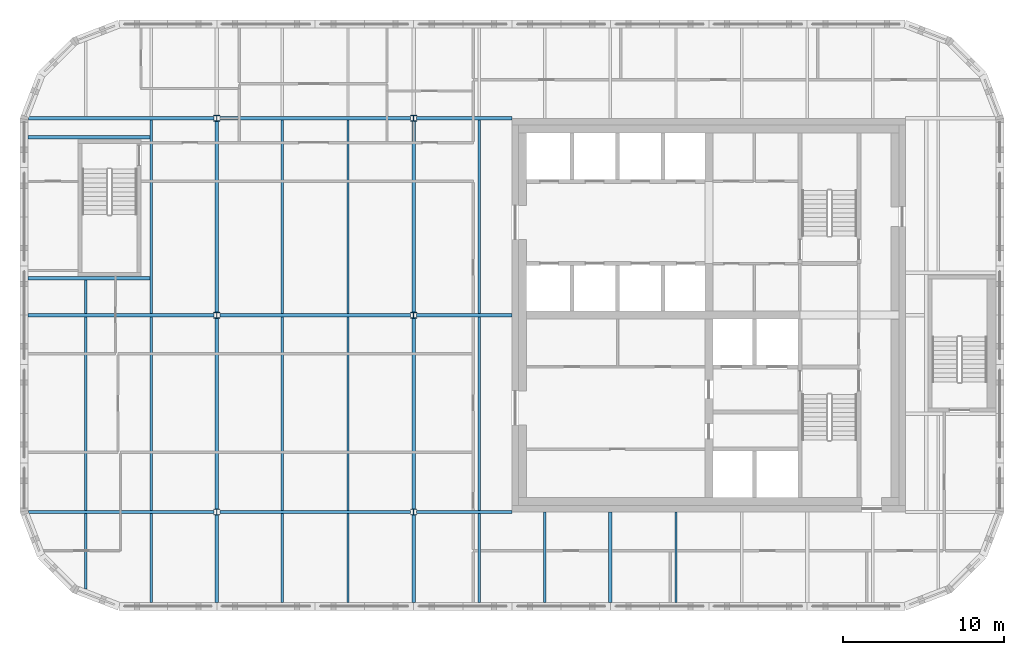
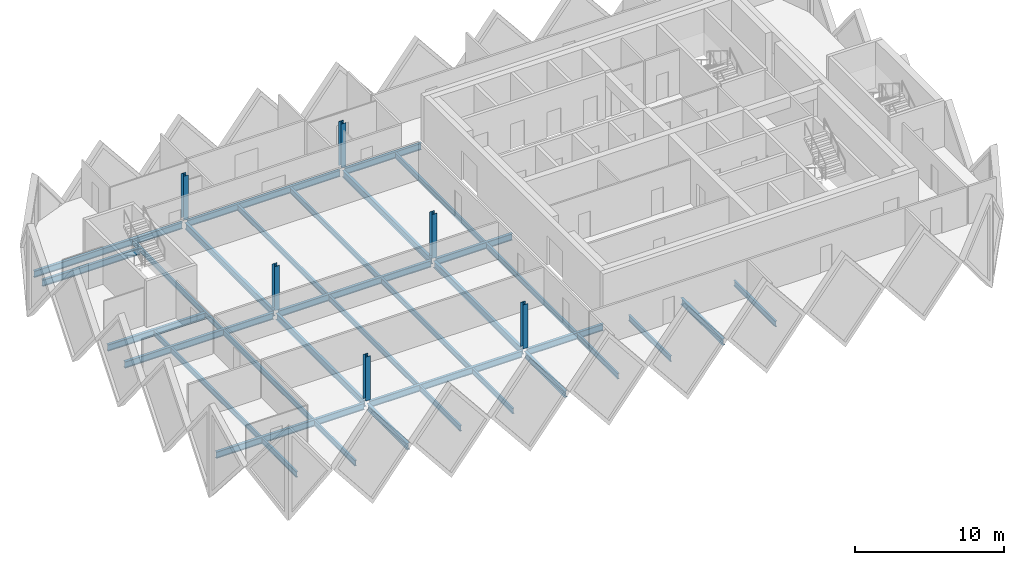
# One storey, part 1 of 10: 35 beams, 6 columns.
"""IFC4 building model written with IfcOpenShell, lengths in metres."""

from ifc_helpers import new_model, si_unit, direction, frame, origin, origin_2d, place, context, subcontext, project, spatial, i_section, extrude, material, material_profile, profile_set, type_object, element, save


model = new_model("IFC4")

# Units and contexts
model_context = context("Model", 3, precision=1e-05, world=origin(), true_north=direction((0.0, 1.0)))
body_context = subcontext(model_context, "Body", "Model", "MODEL_VIEW")
ifc_project = project(units=[si_unit("LENGTHUNIT", "METRE"), si_unit("AREAUNIT", "SQUARE_METRE"), si_unit("VOLUMEUNIT", "CUBIC_METRE"), si_unit("PLANEANGLEUNIT", "RADIAN"), si_unit("MASSUNIT", "GRAM", prefix="KILO")], contexts=[model_context])

# Site, building, storey
site_placement = place(None, origin())
site = spatial("IfcSite", under=ifc_project, at=site_placement, CompositionType="ELEMENT")
building_placement = place(site_placement, origin())
building = spatial("IfcBuilding", under=site, at=building_placement, Name="Tessera Gate Towers", CompositionType="ELEMENT")
storey_placement = place(building_placement, frame((0.0, 0.0, 248.300048828125)))
storey = spatial("IfcBuildingStorey", under=building, at=storey_placement, Name="L62", CompositionType="ELEMENT", Elevation=248.300048828125)

# Columns
ifc_material_1 = material(Name="Steel 350W", Category="steel")
ifc_material_profile_1 = material_profile(ifc_material_1, i_section(OverallWidth=0.373046875, OverallDepth=0.367919921875, WebThickness=0.014892578125, FlangeThickness=0.02392578125, at=origin_2d()), Name="W360x179")
ifc_profile_set_1 = profile_set([ifc_material_profile_1], Name="Steel 350W")
column_type = type_object("IfcColumnType", Name="STEEL COLUMN W360x179", PredefinedType="COLUMN", material=ifc_profile_set_1)
for number, where, z_axis, x_axis, name in (
    (1, (12.199951171875, 24.39990234375, 0.0), (0.0, 0.0, 1.0), (1.0, 0.0, 0.0), "T1-COL-2C-L62"),
    (2, (12.199951171875, 36.60009765625, 0.0), (0.0, 0.0, 1.0), (1.0, 0.0, 0.0), "T1-COL-2D-L62"),
    (3, (12.199951171875, 48.800048828125, 0.0), (0.0, 0.0, 1.0), (1.0, 0.0, 0.0), "T1-COL-2E-L62"),
    (4, (24.39990234375, 24.39990234375, 0.0), (0.0, 0.0, 1.0), (1.0, 0.0, 0.0), "T1-COL-3C-L62"),
    (5, (24.39990234375, 36.60009765625, 0.0), (0.0, 0.0, 1.0), (1.0, 0.0, 0.0), "T1-COL-3D-L62"),
    (6, (24.39990234375, 48.800048828125, 0.0), (0.0, 0.0, 1.0), (1.0, 0.0, 0.0), "T1-COL-3E-L62"),
):
    element("IfcColumn", number, at=place(storey_placement, frame(where, z_axis=z_axis, x_axis=x_axis)), inside=storey, type_object=column_type, Name=name, PredefinedType="COLUMN", context=body_context, shape_type="SweptSolid", body=[
        extrude(i_section(OverallWidth=0.373046875, OverallDepth=0.367919921875, WebThickness=0.014892578125, FlangeThickness=0.02392578125, at=origin_2d()), origin(), (0.0, 0.0, 1.0), 3.599853515625),
    ])

# Beams
ifc_material_2 = material(Name="Steel 350W", Category="steel")
ifc_material_profile_2 = material_profile(ifc_material_2, i_section(OverallWidth=0.208984375, OverallDepth=0.532958984375, WebThickness=0.01025390625, FlangeThickness=0.015625, at=origin_2d()), Name="W530x92")
ifc_profile_set_2 = profile_set([ifc_material_profile_2], Name="Steel 350W")
beam_type_1 = type_object("IfcBeamType", Name="FLOOR GIRDER W530x92", PredefinedType="BEAM", material=ifc_profile_set_2)
beam_1_placement = place(storey_placement, frame((0.534912109375, 24.39990234375, -0.466552734375), z_axis=(1.0, 0.0, 0.0), x_axis=(0.0, 1.0, 0.0)))
element("IfcBeam", 7, at=beam_1_placement, inside=storey, type_object=beam_type_1, Name="T1-GD-L62-6125", PredefinedType="BEAM", context=body_context, shape_type="SweptSolid", body=[
    extrude(i_section(OverallWidth=0.208984375, OverallDepth=0.532958984375, WebThickness=0.01025390625, FlangeThickness=0.015625, at=origin_2d()), origin(), (0.0, 0.0, 1.0), 11.478515625),
])
beam_2_placement = place(storey_placement, frame((12.386474609375, 24.39990234375, -0.466552734375), z_axis=(1.0, 0.0, 0.0), x_axis=(0.0, 1.0, 0.0)))
element("IfcBeam", 8, at=beam_2_placement, inside=storey, type_object=beam_type_1, Name="T1-GD-L62-6126", PredefinedType="BEAM", context=body_context, shape_type="SweptSolid", body=[
    extrude(i_section(OverallWidth=0.208984375, OverallDepth=0.532958984375, WebThickness=0.01025390625, FlangeThickness=0.015625, at=origin_2d()), origin(), (0.0, 0.0, 1.0), 11.826904296875),
])
beam_3_placement = place(storey_placement, frame((24.58642578125, 24.39990234375, -0.466552734375), z_axis=(1.0, 0.0, 0.0), x_axis=(0.0, 1.0, 0.0)))
element("IfcBeam", 9, at=beam_3_placement, inside=storey, type_object=beam_type_1, Name="T1-GD-L62-6127", PredefinedType="BEAM", context=body_context, shape_type="SweptSolid", body=[
    extrude(i_section(OverallWidth=0.208984375, OverallDepth=0.532958984375, WebThickness=0.01025390625, FlangeThickness=0.015625, at=origin_2d()), origin(), (0.0, 0.0, 1.0), 5.91259765625),
])
beam_4_placement = place(storey_placement, frame((0.4990234375, 36.60009765625, -0.466552734375), z_axis=(1.0, 0.0, 0.0), x_axis=(0.0, 1.0, 0.0)))
element("IfcBeam", 10, at=beam_4_placement, inside=storey, type_object=beam_type_1, Name="T1-GD-L62-6129", PredefinedType="BEAM", context=body_context, shape_type="SweptSolid", body=[
    extrude(i_section(OverallWidth=0.208984375, OverallDepth=0.532958984375, WebThickness=0.01025390625, FlangeThickness=0.015625, at=origin_2d()), origin(), (0.0, 0.0, 1.0), 11.514404296875),
])
beam_5_placement = place(storey_placement, frame((12.386474609375, 36.60009765625, -0.466552734375), z_axis=(1.0, 0.0, 0.0), x_axis=(0.0, 1.0, 0.0)))
element("IfcBeam", 11, at=beam_5_placement, inside=storey, type_object=beam_type_1, Name="T1-GD-L62-6130", PredefinedType="BEAM", context=body_context, shape_type="SweptSolid", body=[
    extrude(i_section(OverallWidth=0.208984375, OverallDepth=0.532958984375, WebThickness=0.01025390625, FlangeThickness=0.015625, at=origin_2d()), origin(), (0.0, 0.0, 1.0), 11.826904296875),
])
beam_6_placement = place(storey_placement, frame((24.58642578125, 36.60009765625, -0.466552734375), z_axis=(1.0, 0.0, 0.0), x_axis=(0.0, 1.0, 0.0)))
element("IfcBeam", 12, at=beam_6_placement, inside=storey, type_object=beam_type_1, Name="T1-GD-L62-6131", PredefinedType="BEAM", context=body_context, shape_type="SweptSolid", body=[
    extrude(i_section(OverallWidth=0.208984375, OverallDepth=0.532958984375, WebThickness=0.01025390625, FlangeThickness=0.015625, at=origin_2d()), origin(), (0.0, 0.0, 1.0), 5.91455078125),
])
beam_7_placement = place(storey_placement, frame((0.534912109375, 48.800048828125, -0.466552734375), z_axis=(1.0, 0.0, 0.0), x_axis=(0.0, 1.0, 0.0)))
element("IfcBeam", 13, at=beam_7_placement, inside=storey, type_object=beam_type_1, Name="T1-GD-L62-6133", PredefinedType="BEAM", context=body_context, shape_type="SweptSolid", body=[
    extrude(i_section(OverallWidth=0.208984375, OverallDepth=0.532958984375, WebThickness=0.01025390625, FlangeThickness=0.015625, at=origin_2d()), origin(), (0.0, 0.0, 1.0), 11.478515625),
])
beam_8_placement = place(storey_placement, frame((12.386474609375, 48.800048828125, -0.466552734375), z_axis=(1.0, 0.0, 0.0), x_axis=(0.0, 1.0, 0.0)))
element("IfcBeam", 14, at=beam_8_placement, inside=storey, type_object=beam_type_1, Name="T1-GD-L62-6134", PredefinedType="BEAM", context=body_context, shape_type="SweptSolid", body=[
    extrude(i_section(OverallWidth=0.208984375, OverallDepth=0.532958984375, WebThickness=0.01025390625, FlangeThickness=0.015625, at=origin_2d()), origin(), (0.0, 0.0, 1.0), 11.826904296875),
])
beam_9_placement = place(storey_placement, frame((24.58642578125, 48.800048828125, -0.466552734375), z_axis=(1.0, 0.0, 0.0), x_axis=(0.0, 1.0, 0.0)))
element("IfcBeam", 15, at=beam_9_placement, inside=storey, type_object=beam_type_1, Name="T1-GD-L62-6135", PredefinedType="BEAM", context=body_context, shape_type="SweptSolid", body=[
    extrude(i_section(OverallWidth=0.208984375, OverallDepth=0.532958984375, WebThickness=0.01025390625, FlangeThickness=0.015625, at=origin_2d()), origin(), (0.0, 0.0, 1.0), 5.91259765625),
])
beam_10_placement = place(storey_placement, frame((12.199951171875, 18.799072265625, -0.466552734375), z_axis=(0.0, 1.0, 0.0), x_axis=(-1.0, 0.0, 0.0)))
element("IfcBeam", 16, at=beam_10_placement, inside=storey, type_object=beam_type_1, Name="T1-GD-L62-6137", PredefinedType="BEAM", context=body_context, shape_type="SweptSolid", body=[
    extrude(i_section(OverallWidth=0.208984375, OverallDepth=0.532958984375, WebThickness=0.01025390625, FlangeThickness=0.015625, at=origin_2d()), origin(), (0.0, 0.0, 1.0), 5.414306640625),
])
beam_11_placement = place(storey_placement, frame((12.199951171875, 24.58642578125, -0.466552734375), z_axis=(0.0, 1.0, 0.0), x_axis=(-1.0, 0.0, 0.0)))
element("IfcBeam", 17, at=beam_11_placement, inside=storey, type_object=beam_type_1, Name="T1-GD-L62-6138", PredefinedType="BEAM", context=body_context, shape_type="SweptSolid", body=[
    extrude(i_section(OverallWidth=0.208984375, OverallDepth=0.532958984375, WebThickness=0.01025390625, FlangeThickness=0.015625, at=origin_2d()), origin(), (0.0, 0.0, 1.0), 11.8271484375),
])
beam_12_placement = place(storey_placement, frame((12.199951171875, 36.78662109375, -0.466552734375), z_axis=(0.0, 1.0, 0.0), x_axis=(-1.0, 0.0, 0.0)))
element("IfcBeam", 18, at=beam_12_placement, inside=storey, type_object=beam_type_1, Name="T1-GD-L62-6139", PredefinedType="BEAM", context=body_context, shape_type="SweptSolid", body=[
    extrude(i_section(OverallWidth=0.208984375, OverallDepth=0.532958984375, WebThickness=0.01025390625, FlangeThickness=0.015625, at=origin_2d()), origin(), (0.0, 0.0, 1.0), 11.826904296875),
])
beam_13_placement = place(storey_placement, frame((24.39990234375, 18.799072265625, -0.466552734375), z_axis=(0.0, 1.0, 0.0), x_axis=(-1.0, 0.0, 0.0)))
element("IfcBeam", 19, at=beam_13_placement, inside=storey, type_object=beam_type_1, Name="T1-GD-L62-6141", PredefinedType="BEAM", context=body_context, shape_type="SweptSolid", body=[
    extrude(i_section(OverallWidth=0.208984375, OverallDepth=0.532958984375, WebThickness=0.01025390625, FlangeThickness=0.015625, at=origin_2d()), origin(), (0.0, 0.0, 1.0), 5.414306640625),
])
beam_14_placement = place(storey_placement, frame((24.39990234375, 24.58642578125, -0.466552734375), z_axis=(0.0, 1.0, 0.0), x_axis=(-1.0, 0.0, 0.0)))
element("IfcBeam", 20, at=beam_14_placement, inside=storey, type_object=beam_type_1, Name="T1-GD-L62-6142", PredefinedType="BEAM", context=body_context, shape_type="SweptSolid", body=[
    extrude(i_section(OverallWidth=0.208984375, OverallDepth=0.532958984375, WebThickness=0.01025390625, FlangeThickness=0.015625, at=origin_2d()), origin(), (0.0, 0.0, 1.0), 11.8271484375),
])
beam_15_placement = place(storey_placement, frame((24.39990234375, 36.78662109375, -0.466552734375), z_axis=(0.0, 1.0, 0.0), x_axis=(-1.0, 0.0, 0.0)))
element("IfcBeam", 21, at=beam_15_placement, inside=storey, type_object=beam_type_1, Name="T1-GD-L62-6143", PredefinedType="BEAM", context=body_context, shape_type="SweptSolid", body=[
    extrude(i_section(OverallWidth=0.208984375, OverallDepth=0.532958984375, WebThickness=0.01025390625, FlangeThickness=0.015625, at=origin_2d()), origin(), (0.0, 0.0, 1.0), 11.826904296875),
])
beam_16_placement = place(storey_placement, frame((36.60009765625, 18.799072265625, -0.466552734375), z_axis=(0.0, 1.0, 0.0), x_axis=(-1.0, 0.0, 0.0)))
element("IfcBeam", 22, at=beam_16_placement, inside=storey, type_object=beam_type_1, Name="T1-GD-L62-6145", PredefinedType="BEAM", context=body_context, shape_type="SweptSolid", body=[
    extrude(i_section(OverallWidth=0.208984375, OverallDepth=0.532958984375, WebThickness=0.01025390625, FlangeThickness=0.015625, at=origin_2d()), origin(), (0.0, 0.0, 1.0), 5.600830078125),
])
for number, where, z_axis, x_axis, name in (
    (23, (0.4990234375, 38.8798828125, -0.466552734375), (1.0, 0.0, 0.0), (0.0, 1.0, 0.0), "T1-GD-L62-6147"),
    (24, (0.4990234375, 47.6201171875, -0.466552734375), (1.0, 0.0, 0.0), (0.0, 1.0, 0.0), "T1-GD-L62-6148"),
):
    element("IfcBeam", number, at=place(storey_placement, frame(where, z_axis=z_axis, x_axis=x_axis)), inside=storey, type_object=beam_type_1, Name=name, PredefinedType="BEAM", context=body_context, shape_type="SweptSolid", body=[
        extrude(i_section(OverallWidth=0.208984375, OverallDepth=0.532958984375, WebThickness=0.01025390625, FlangeThickness=0.015625, at=origin_2d()), origin(), (0.0, 0.0, 1.0), 7.557861328125),
    ])
ifc_material_3 = material(Name="Steel 350W", Category="steel")
ifc_material_profile_3 = material_profile(ifc_material_3, i_section(OverallWidth=0.153076171875, OverallDepth=0.455078125, WebThickness=0.008056640625, FlangeThickness=0.01318359375, at=origin_2d()), Name="W460x60")
ifc_profile_set_3 = profile_set([ifc_material_profile_3], Name="Steel 350W")
beam_type_2 = type_object("IfcBeamType", Name="FLOOR SECONDARY W460x60", PredefinedType="BEAM", material=ifc_profile_set_3)
beam_17_placement = place(storey_placement, frame((4.066650390625, 19.620361328125, -0.427490234375), z_axis=(0.0, 1.0, 0.0), x_axis=(-1.0, 0.0, 0.0)))
element("IfcBeam", 25, at=beam_17_placement, inside=storey, type_object=beam_type_2, Name="T1-BM-L62-6152", PredefinedType="BEAM", context=body_context, shape_type="SweptSolid", body=[
    extrude(i_section(OverallWidth=0.153076171875, OverallDepth=0.455078125, WebThickness=0.008056640625, FlangeThickness=0.01318359375, at=origin_2d()), origin(), (0.0, 0.0, 1.0), 4.675048828125),
])
beam_18_placement = place(storey_placement, frame((4.066650390625, 24.50439453125, -0.427490234375), z_axis=(0.0, 1.0, 0.0), x_axis=(-1.0, 0.0, 0.0)))
element("IfcBeam", 26, at=beam_18_placement, inside=storey, type_object=beam_type_2, Name="T1-BM-L62-6153", PredefinedType="BEAM", context=body_context, shape_type="SweptSolid", body=[
    extrude(i_section(OverallWidth=0.153076171875, OverallDepth=0.455078125, WebThickness=0.008056640625, FlangeThickness=0.01318359375, at=origin_2d()), origin(), (0.0, 0.0, 1.0), 11.9912109375),
])
beam_19_placement = place(storey_placement, frame((4.066650390625, 36.70458984375, -0.427490234375), z_axis=(0.0, 1.0, 0.0), x_axis=(-1.0, 0.0, 0.0)))
element("IfcBeam", 27, at=beam_19_placement, inside=storey, type_object=beam_type_2, Name="T1-BM-L62-6154", PredefinedType="BEAM", context=body_context, shape_type="SweptSolid", body=[
    extrude(i_section(OverallWidth=0.153076171875, OverallDepth=0.455078125, WebThickness=0.008056640625, FlangeThickness=0.01318359375, at=origin_2d()), origin(), (0.0, 0.0, 1.0), 2.07080078125),
])
beam_20_placement = place(storey_placement, frame((8.13330078125, 18.800048828125, -0.427490234375), z_axis=(0.0, 1.0, 0.0), x_axis=(-1.0, 0.0, 0.0)))
element("IfcBeam", 28, at=beam_20_placement, inside=storey, type_object=beam_type_2, Name="T1-BM-L62-6156", PredefinedType="BEAM", context=body_context, shape_type="SweptSolid", body=[
    extrude(i_section(OverallWidth=0.153076171875, OverallDepth=0.455078125, WebThickness=0.008056640625, FlangeThickness=0.01318359375, at=origin_2d()), origin(), (0.0, 0.0, 1.0), 5.495361328125),
])
beam_21_placement = place(storey_placement, frame((8.13330078125, 24.50439453125, -0.427490234375), z_axis=(0.0, 1.0, 0.0), x_axis=(-1.0, 0.0, 0.0)))
element("IfcBeam", 29, at=beam_21_placement, inside=storey, type_object=beam_type_2, Name="T1-BM-L62-6157", PredefinedType="BEAM", context=body_context, shape_type="SweptSolid", body=[
    extrude(i_section(OverallWidth=0.153076171875, OverallDepth=0.455078125, WebThickness=0.008056640625, FlangeThickness=0.01318359375, at=origin_2d()), origin(), (0.0, 0.0, 1.0), 11.9912109375),
])
beam_22_placement = place(storey_placement, frame((8.13330078125, 36.70458984375, -0.427490234375), z_axis=(0.0, 1.0, 0.0), x_axis=(-1.0, 0.0, 0.0)))
element("IfcBeam", 30, at=beam_22_placement, inside=storey, type_object=beam_type_2, Name="T1-BM-L62-6158", PredefinedType="BEAM", context=body_context, shape_type="SweptSolid", body=[
    extrude(i_section(OverallWidth=0.153076171875, OverallDepth=0.455078125, WebThickness=0.008056640625, FlangeThickness=0.01318359375, at=origin_2d()), origin(), (0.0, 0.0, 1.0), 11.990966796875),
])
beam_23_placement = place(storey_placement, frame((16.2666015625, 18.800048828125, -0.427490234375), z_axis=(0.0, 1.0, 0.0), x_axis=(-1.0, 0.0, 0.0)))
element("IfcBeam", 31, at=beam_23_placement, inside=storey, type_object=beam_type_2, Name="T1-BM-L62-6160", PredefinedType="BEAM", context=body_context, shape_type="SweptSolid", body=[
    extrude(i_section(OverallWidth=0.153076171875, OverallDepth=0.455078125, WebThickness=0.008056640625, FlangeThickness=0.01318359375, at=origin_2d()), origin(), (0.0, 0.0, 1.0), 5.495361328125),
])
beam_24_placement = place(storey_placement, frame((16.2666015625, 24.50439453125, -0.427490234375), z_axis=(0.0, 1.0, 0.0), x_axis=(-1.0, 0.0, 0.0)))
element("IfcBeam", 32, at=beam_24_placement, inside=storey, type_object=beam_type_2, Name="T1-BM-L62-6161", PredefinedType="BEAM", context=body_context, shape_type="SweptSolid", body=[
    extrude(i_section(OverallWidth=0.153076171875, OverallDepth=0.455078125, WebThickness=0.008056640625, FlangeThickness=0.01318359375, at=origin_2d()), origin(), (0.0, 0.0, 1.0), 11.9912109375),
])
beam_25_placement = place(storey_placement, frame((16.2666015625, 36.70458984375, -0.427490234375), z_axis=(0.0, 1.0, 0.0), x_axis=(-1.0, 0.0, 0.0)))
element("IfcBeam", 33, at=beam_25_placement, inside=storey, type_object=beam_type_2, Name="T1-BM-L62-6162", PredefinedType="BEAM", context=body_context, shape_type="SweptSolid", body=[
    extrude(i_section(OverallWidth=0.153076171875, OverallDepth=0.455078125, WebThickness=0.008056640625, FlangeThickness=0.01318359375, at=origin_2d()), origin(), (0.0, 0.0, 1.0), 11.990966796875),
])
beam_26_placement = place(storey_placement, frame((20.333251953125, 18.800048828125, -0.427490234375), z_axis=(0.0, 1.0, 0.0), x_axis=(-1.0, 0.0, 0.0)))
element("IfcBeam", 34, at=beam_26_placement, inside=storey, type_object=beam_type_2, Name="T1-BM-L62-6164", PredefinedType="BEAM", context=body_context, shape_type="SweptSolid", body=[
    extrude(i_section(OverallWidth=0.153076171875, OverallDepth=0.455078125, WebThickness=0.008056640625, FlangeThickness=0.01318359375, at=origin_2d()), origin(), (0.0, 0.0, 1.0), 5.495361328125),
])
beam_27_placement = place(storey_placement, frame((20.333251953125, 24.50439453125, -0.427490234375), z_axis=(0.0, 1.0, 0.0), x_axis=(-1.0, 0.0, 0.0)))
element("IfcBeam", 35, at=beam_27_placement, inside=storey, type_object=beam_type_2, Name="T1-BM-L62-6165", PredefinedType="BEAM", context=body_context, shape_type="SweptSolid", body=[
    extrude(i_section(OverallWidth=0.153076171875, OverallDepth=0.455078125, WebThickness=0.008056640625, FlangeThickness=0.01318359375, at=origin_2d()), origin(), (0.0, 0.0, 1.0), 11.9912109375),
])
beam_28_placement = place(storey_placement, frame((20.333251953125, 36.70458984375, -0.427490234375), z_axis=(0.0, 1.0, 0.0), x_axis=(-1.0, 0.0, 0.0)))
element("IfcBeam", 36, at=beam_28_placement, inside=storey, type_object=beam_type_2, Name="T1-BM-L62-6166", PredefinedType="BEAM", context=body_context, shape_type="SweptSolid", body=[
    extrude(i_section(OverallWidth=0.153076171875, OverallDepth=0.455078125, WebThickness=0.008056640625, FlangeThickness=0.01318359375, at=origin_2d()), origin(), (0.0, 0.0, 1.0), 11.990966796875),
])
beam_29_placement = place(storey_placement, frame((28.466796875, 18.800048828125, -0.427490234375), z_axis=(0.0, 1.0, 0.0), x_axis=(-1.0, 0.0, 0.0)))
element("IfcBeam", 37, at=beam_29_placement, inside=storey, type_object=beam_type_2, Name="T1-BM-L62-6168", PredefinedType="BEAM", context=body_context, shape_type="SweptSolid", body=[
    extrude(i_section(OverallWidth=0.153076171875, OverallDepth=0.455078125, WebThickness=0.008056640625, FlangeThickness=0.01318359375, at=origin_2d()), origin(), (0.0, 0.0, 1.0), 5.495361328125),
])
beam_30_placement = place(storey_placement, frame((28.466796875, 24.50439453125, -0.427490234375), z_axis=(0.0, 1.0, 0.0), x_axis=(-1.0, 0.0, 0.0)))
element("IfcBeam", 38, at=beam_30_placement, inside=storey, type_object=beam_type_2, Name="T1-BM-L62-6169", PredefinedType="BEAM", context=body_context, shape_type="SweptSolid", body=[
    extrude(i_section(OverallWidth=0.153076171875, OverallDepth=0.455078125, WebThickness=0.008056640625, FlangeThickness=0.01318359375, at=origin_2d()), origin(), (0.0, 0.0, 1.0), 11.9912109375),
])
beam_31_placement = place(storey_placement, frame((28.466796875, 36.70458984375, -0.427490234375), z_axis=(0.0, 1.0, 0.0), x_axis=(-1.0, 0.0, 0.0)))
element("IfcBeam", 39, at=beam_31_placement, inside=storey, type_object=beam_type_2, Name="T1-BM-L62-6170", PredefinedType="BEAM", context=body_context, shape_type="SweptSolid", body=[
    extrude(i_section(OverallWidth=0.153076171875, OverallDepth=0.455078125, WebThickness=0.008056640625, FlangeThickness=0.01318359375, at=origin_2d()), origin(), (0.0, 0.0, 1.0), 11.990966796875),
])
for number, where, z_axis, x_axis, name in (
    (40, (32.533203125, 18.800048828125, -0.427490234375), (0.0, 1.0, 0.0), (-1.0, 0.0, 0.0), "T1-BM-L62-6172"),
    (41, (40.666748046875, 18.800048828125, -0.427490234375), (0.0, 1.0, 0.0), (-1.0, 0.0, 0.0), "T1-BM-L62-6175"),
):
    element("IfcBeam", number, at=place(storey_placement, frame(where, z_axis=z_axis, x_axis=x_axis)), inside=storey, type_object=beam_type_2, Name=name, PredefinedType="BEAM", context=body_context, shape_type="SweptSolid", body=[
        extrude(i_section(OverallWidth=0.153076171875, OverallDepth=0.455078125, WebThickness=0.008056640625, FlangeThickness=0.01318359375, at=origin_2d()), origin(), (0.0, 0.0, 1.0), 5.599853515625),
    ])

save(model, "model.ifc")
